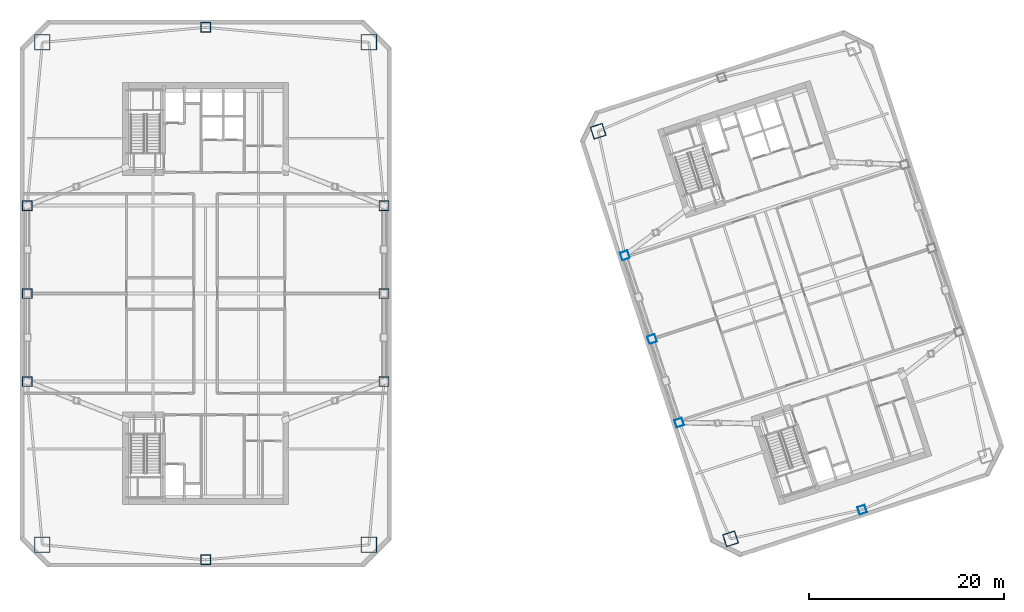
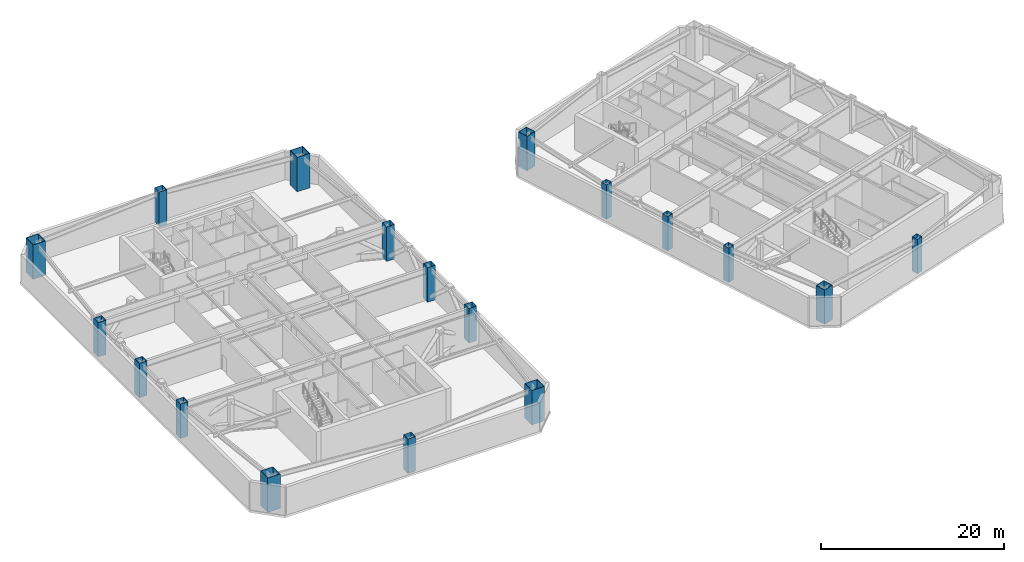
# One storey, part 1 of 14: 18 columns.
"""IFC4 building model written with IfcOpenShell, lengths in metres."""

from ifc_helpers import new_model, si_unit, direction, frame, origin, origin_2d, place, context, subcontext, project, spatial, hollow_rectangle, extrude, material, material_profile, profile_set, type_object, element, save


model = new_model("IFC4")

# Units and contexts
model_context = context("Model", 3, precision=1e-05, world=origin(), true_north=direction((0.0, 1.0)))
body_context = subcontext(model_context, "Body", "Model", "MODEL_VIEW")
ifc_project = project(units=[si_unit("LENGTHUNIT", "METRE"), si_unit("AREAUNIT", "SQUARE_METRE"), si_unit("VOLUMEUNIT", "CUBIC_METRE"), si_unit("PLANEANGLEUNIT", "RADIAN"), si_unit("MASSUNIT", "GRAM", prefix="KILO")], contexts=[model_context])

# Site, building, storey
site_placement = place(None, origin())
site = spatial("IfcSite", under=ifc_project, at=site_placement, CompositionType="ELEMENT")
building_placement = place(site_placement, origin())
building = spatial("IfcBuilding", under=site, at=building_placement, Name="Qiaolan Cultural Towers", CompositionType="ELEMENT")
storey_placement = place(building_placement, frame((0.0, 0.0, 138.0)))
storey = spatial("IfcBuildingStorey", under=building, at=storey_placement, Name="L36", CompositionType="ELEMENT", Elevation=138.0)

# Columns
ifc_material_1 = material(Name="Steel Q355B", Category="steel")
ifc_material_profile_1 = material_profile(ifc_material_1, hollow_rectangle(XDim=1.0, YDim=1.0, WallThickness=0.035888671875, at=origin_2d()), Name="BOX1000x1000x36")
ifc_profile_set_1 = profile_set([ifc_material_profile_1], Name="Steel Q355B")
column_type_1 = type_object("IfcColumnType", Name="COL-BOX1000x1000x36", PredefinedType="COLUMN", material=ifc_profile_set_1)
for number, where, z_axis, x_axis, name in (
    (1, (11.75, 25.0, 0.0), (0.0, 0.0, 1.0), (1.0, 0.0, 0.0), "L36 T1 Perimeter Column PC-W1"),
    (2, (11.75, 34.0, 0.0), (0.0, 0.0, 1.0), (1.0, 0.0, 0.0), "L36 T1 Perimeter Column PC-W2"),
    (3, (11.75, 43.0, 0.0), (0.0, 0.0, 1.0), (1.0, 0.0, 0.0), "L36 T1 Perimeter Column PC-W3"),
    (4, (48.25, 25.0, 0.0), (0.0, 0.0, 1.0), (1.0, 0.0, 0.0), "L36 T1 Perimeter Column PC-E1"),
    (5, (48.25, 34.0, 0.0), (0.0, 0.0, 1.0), (1.0, 0.0, 0.0), "L36 T1 Perimeter Column PC-E2"),
    (6, (48.25, 43.0, 0.0), (0.0, 0.0, 1.0), (1.0, 0.0, 0.0), "L36 T1 Perimeter Column PC-E3"),
    (7, (30.0, 6.75, 0.0), (0.0, 0.0, 1.0), (1.0, 0.0, 0.0), "L36 T1 Perimeter Column PC-S0"),
    (8, (30.0, 61.25, 0.0), (0.0, 0.0, 1.0), (1.0, 0.0, 0.0), "L36 T1 Perimeter Column PC-N0"),
):
    element("IfcColumn", number, at=place(storey_placement, frame(where, z_axis=z_axis, x_axis=x_axis)), inside=storey, type_object=column_type_1, Name=name, PredefinedType="COLUMN", context=body_context, shape_type="SweptSolid", body=[
        extrude(hollow_rectangle(XDim=1.0, YDim=1.0, WallThickness=0.035888671875, at=origin_2d()), origin(), (0.0, 0.0, 1.0), 4.60107421875),
    ])
ifc_material_2 = material(Name="Steel Q390GJB", Category="steel")
ifc_material_profile_2 = material_profile(ifc_material_2, hollow_rectangle(XDim=1.300048828125, YDim=1.300048828125, WallThickness=0.044921875, at=origin_2d()), Name="BOX1300x1300x45")
ifc_profile_set_2 = profile_set([ifc_material_profile_2], Name="Steel Q390GJB")
column_type_2 = type_object("IfcColumnType", Name="COL-BOX1300x1300x45", PredefinedType="COLUMN", material=ifc_profile_set_2)
for number, where, z_axis, x_axis, name in (
    (9, (83.71875, 8.900634765625, 0.0), (0.0, 0.0, 1.0), (0.951056516295, 0.309016994375, 0.0), "L36 T2 Perimeter Column MC-SW"),
    (10, (70.165283203125, 50.61376953125, 0.0), (0.0, 0.0, 1.0), (0.951056516295, 0.309016994375, 0.0), "L36 T2 Perimeter Column MC-NW"),
):
    element("IfcColumn", number, at=place(storey_placement, frame(where, z_axis=z_axis, x_axis=x_axis)), inside=storey, type_object=column_type_2, Name=name, PredefinedType="COLUMN", context=body_context, shape_type="SweptSolid", body=[
        extrude(hollow_rectangle(XDim=1.300048828125, YDim=1.300048828125, WallThickness=0.044921875, at=origin_2d()), origin(), (0.0, 0.0, 1.0), 4.60107421875),
    ])
ifc_material_3 = material(Name="Steel Q420GJB", Category="steel")
ifc_material_profile_3 = material_profile(ifc_material_3, hollow_rectangle(XDim=1.60009765625, YDim=1.60009765625, WallThickness=0.054931640625, at=origin_2d()), Name="BOX1600x1600x55")
ifc_profile_set_3 = profile_set([ifc_material_profile_3], Name="Steel Q420GJB")
column_type_3 = type_object("IfcColumnType", Name="COL-BOX1600x1600x55", PredefinedType="COLUMN", material=ifc_profile_set_3)
for number, where, z_axis, x_axis, name in (
    (11, (13.2900390625, 8.2900390625, 0.0), (0.0, 0.0, 1.0), (1.0, 0.0, 0.0), "L36 T1 Perimeter Column MC-SW"),
    (12, (46.7099609375, 8.2900390625, 0.0), (0.0, 0.0, 1.0), (1.0, 0.0, 0.0), "L36 T1 Perimeter Column MC-SE"),
    (13, (46.7099609375, 59.7099609375, 0.0), (0.0, 0.0, 1.0), (1.0, 0.0, 0.0), "L36 T1 Perimeter Column MC-NE"),
    (14, (13.2900390625, 59.7099609375, 0.0), (0.0, 0.0, 1.0), (1.0, 0.0, 0.0), "L36 T1 Perimeter Column MC-NW"),
):
    element("IfcColumn", number, at=place(storey_placement, frame(where, z_axis=z_axis, x_axis=x_axis)), inside=storey, type_object=column_type_3, Name=name, PredefinedType="COLUMN", context=body_context, shape_type="SweptSolid", body=[
        extrude(hollow_rectangle(XDim=1.60009765625, YDim=1.60009765625, WallThickness=0.054931640625, at=origin_2d()), origin(), (0.0, 0.0, 1.0), 4.60107421875),
    ])
ifc_material_4 = material(Name="Steel Q355B", Category="steel")
ifc_material_profile_4 = material_profile(ifc_material_4, hollow_rectangle(XDim=0.800048828125, YDim=0.800048828125, WallThickness=0.028076171875, at=origin_2d()), Name="BOX800x800x28")
ifc_profile_set_4 = profile_set([ifc_material_profile_4], Name="Steel Q355B")
column_type_4 = type_object("IfcColumnType", Name="COL-BOX800x800x28", PredefinedType="COLUMN", material=ifc_profile_set_4)
for number, where, z_axis, x_axis, name in (
    (15, (78.4677734375, 20.789794921875, 0.0), (0.0, 0.0, 1.0), (0.951056516295, 0.309016994375, 0.0), "L36 T2 Perimeter Column PC-W1"),
    (16, (75.6865234375, 29.349365234375, 0.0), (0.0, 0.0, 1.0), (0.951056516295, 0.309016994375, 0.0), "L36 T2 Perimeter Column PC-W2"),
    (17, (72.905517578125, 37.90869140625, 0.0), (0.0, 0.0, 1.0), (0.951056516295, 0.309016994375, 0.0), "L36 T2 Perimeter Column PC-W3"),
    (18, (97.1845703125, 11.887939453125, 0.0), (0.0, 0.0, 1.0), (0.951056516295, 0.309016994375, 0.0), "L36 T2 Perimeter Column PC-S0"),
):
    element("IfcColumn", number, at=place(storey_placement, frame(where, z_axis=z_axis, x_axis=x_axis)), inside=storey, type_object=column_type_4, Name=name, PredefinedType="COLUMN", context=body_context, shape_type="SweptSolid", body=[
        extrude(hollow_rectangle(XDim=0.800048828125, YDim=0.800048828125, WallThickness=0.028076171875, at=origin_2d()), origin(), (0.0, 0.0, 1.0), 4.60107421875),
    ])

save(model, "model.ifc")
